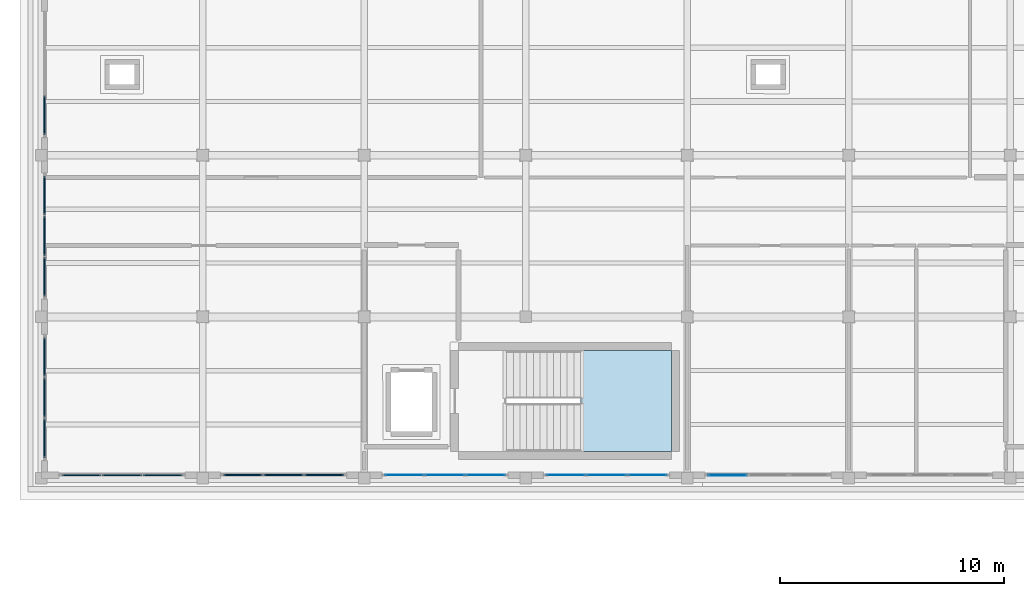
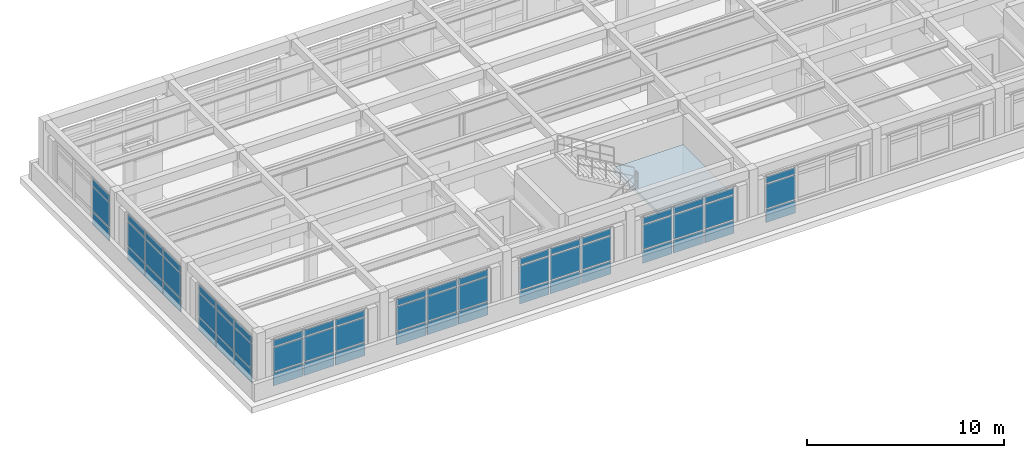
# One storey, part 11 of 20: 60 plates, 1 slab, 9 elements without a shape of their own.
"""IFC4 building model written with IfcOpenShell, lengths in metres."""

from ifc_helpers import new_model, si_unit, direction, frame, origin, origin_2d, place, context, subcontext, project, spatial, polyline, rectangle, outline, extrude, material, layer, layer_set, type_object, element, aggregate, save


model = new_model("IFC4")

# Units and contexts
model_context = context("Model", 3, precision=1e-05, world=origin(), true_north=direction((0.0, 1.0)))
body_context = subcontext(model_context, "Body", "Model", "MODEL_VIEW")
ifc_project = project(units=[si_unit("LENGTHUNIT", "METRE"), si_unit("AREAUNIT", "SQUARE_METRE"), si_unit("VOLUMEUNIT", "CUBIC_METRE"), si_unit("PLANEANGLEUNIT", "RADIAN"), si_unit("MASSUNIT", "GRAM", prefix="KILO")], contexts=[model_context])

# Site, building, storey
site_placement = place(None, origin())
site = spatial("IfcSite", under=ifc_project, at=site_placement, CompositionType="ELEMENT")
building_placement = place(site_placement, origin())
building = spatial("IfcBuilding", under=site, at=building_placement, Name="Solenvale Faculty of Natural Sciences", CompositionType="ELEMENT")
storey_placement = place(building_placement, frame((0.0, 0.0, 35.39990234375)))
storey = spatial("IfcBuildingStorey", under=building, at=storey_placement, Name="L08", CompositionType="ELEMENT", Elevation=35.39990234375)

# Curtain wall, plates
ifc_material_1 = material(Name="Anodised bronze aluminium", Category="aluminium")
ifc_layer_1 = layer(ifc_material_1, 0.179931640625)
ifc_layer_set_1 = layer_set([ifc_layer_1], Name="Anodised bronze aluminium")
curtain_wall_type = type_object("IfcCurtainWallType", Name="CW-TWR-MOD", PredefinedType="USERDEFINED", material=ifc_layer_set_1)
curtain_wall_1_placement = place(storey_placement, origin())
curtain_wall_1 = element("IfcCurtainWall", 1, at=curtain_wall_1_placement, inside=storey, type_object=curtain_wall_type, Name="L08 Curtain Wall CW-L08-P1-E4-B3", ObjectType="UNITISED CURTAIN WALL", PredefinedType="USERDEFINED")
ifc_material_2 = material(Name="North-light skylight glass", Category="glass")
ifc_layer_2 = layer(ifc_material_2, 0.028076171875)
ifc_layer_set_2 = layer_set([ifc_layer_2], Name="North-light skylight glass")
plate_type_1 = type_object("IfcPlateType", Name="CWP-PNL-28", PredefinedType="CURTAIN_PANEL", material=ifc_layer_set_2)
plate_1_placement = place(storey_placement, frame((102.58544921875, 93.742431640625, 0.074951171875), z_axis=(0.0, 0.0, 1.0), x_axis=(1.0, 0.0, 0.0)))
plate_1 = element("IfcPlate", 2, at=plate_1_placement, type_object=plate_type_1, Name="CW-04 panel 1.1", PredefinedType="CURTAIN_PANEL", context=body_context, shape_type="SweptSolid", body=[
    extrude(rectangle(XDim=1.720947265625, YDim=0.028076171875, at=origin_2d()), origin(), (0.0, 0.0, 1.0), 0.78759765625),
])
plate_2_placement = place(storey_placement, frame((102.58544921875, 93.742431640625, 0.9375), z_axis=(0.0, 0.0, 1.0), x_axis=(1.0, 0.0, 0.0)))
plate_2 = element("IfcPlate", 3, at=plate_2_placement, type_object=plate_type_1, Name="CW-04 panel 1.2", PredefinedType="CURTAIN_PANEL", context=body_context, shape_type="SweptSolid", body=[
    extrude(rectangle(XDim=1.720947265625, YDim=0.028076171875, at=origin_2d()), origin(), (0.0, 0.0, 1.0), 1.485107421875),
])
plate_3_placement = place(storey_placement, frame((102.58544921875, 93.742431640625, 2.49755859375), z_axis=(0.0, 0.0, 1.0), x_axis=(1.0, 0.0, 0.0)))
plate_3 = element("IfcPlate", 4, at=plate_3_placement, type_object=plate_type_1, Name="CW-04 panel 1.3", PredefinedType="CURTAIN_PANEL", context=body_context, shape_type="SweptSolid", body=[
    extrude(rectangle(XDim=1.720947265625, YDim=0.028076171875, at=origin_2d()), origin(), (0.0, 0.0, 1.0), 0.387451171875),
])
plate_4_placement = place(storey_placement, frame((104.39990234375, 93.742431640625, 0.074951171875), z_axis=(0.0, 0.0, 1.0), x_axis=(1.0, 0.0, 0.0)))
plate_4 = element("IfcPlate", 5, at=plate_4_placement, type_object=plate_type_1, Name="CW-04 panel 2.1", PredefinedType="CURTAIN_PANEL", context=body_context, shape_type="SweptSolid", body=[
    extrude(rectangle(XDim=1.75830078125, YDim=0.028076171875, at=origin_2d()), origin(), (0.0, 0.0, 1.0), 0.78759765625),
])
plate_5_placement = place(storey_placement, frame((104.39990234375, 93.742431640625, 0.9375), z_axis=(0.0, 0.0, 1.0), x_axis=(1.0, 0.0, 0.0)))
plate_5 = element("IfcPlate", 6, at=plate_5_placement, type_object=plate_type_1, Name="CW-04 panel 2.2", PredefinedType="CURTAIN_PANEL", context=body_context, shape_type="SweptSolid", body=[
    extrude(rectangle(XDim=1.75830078125, YDim=0.028076171875, at=origin_2d()), origin(), (0.0, 0.0, 1.0), 1.485107421875),
])
plate_6_placement = place(storey_placement, frame((104.39990234375, 93.742431640625, 2.49755859375), z_axis=(0.0, 0.0, 1.0), x_axis=(1.0, 0.0, 0.0)))
plate_6 = element("IfcPlate", 7, at=plate_6_placement, type_object=plate_type_1, Name="CW-04 panel 2.3", PredefinedType="CURTAIN_PANEL", context=body_context, shape_type="SweptSolid", body=[
    extrude(rectangle(XDim=1.75830078125, YDim=0.028076171875, at=origin_2d()), origin(), (0.0, 0.0, 1.0), 0.387451171875),
])
plate_7_placement = place(storey_placement, frame((106.214599609375, 93.742431640625, 0.074951171875), z_axis=(0.0, 0.0, 1.0), x_axis=(1.0, 0.0, 0.0)))
plate_7 = element("IfcPlate", 8, at=plate_7_placement, type_object=plate_type_1, Name="CW-04 panel 3.1", PredefinedType="CURTAIN_PANEL", context=body_context, shape_type="SweptSolid", body=[
    extrude(rectangle(XDim=1.720947265625, YDim=0.028076171875, at=origin_2d()), origin(), (0.0, 0.0, 1.0), 0.78759765625),
])
plate_8_placement = place(storey_placement, frame((106.214599609375, 93.742431640625, 0.9375), z_axis=(0.0, 0.0, 1.0), x_axis=(1.0, 0.0, 0.0)))
plate_8 = element("IfcPlate", 9, at=plate_8_placement, type_object=plate_type_1, Name="CW-04 panel 3.2", PredefinedType="CURTAIN_PANEL", context=body_context, shape_type="SweptSolid", body=[
    extrude(rectangle(XDim=1.720947265625, YDim=0.028076171875, at=origin_2d()), origin(), (0.0, 0.0, 1.0), 1.485107421875),
])
plate_9_placement = place(storey_placement, frame((106.214599609375, 93.742431640625, 2.49755859375), z_axis=(0.0, 0.0, 1.0), x_axis=(1.0, 0.0, 0.0)))
plate_9 = element("IfcPlate", 10, at=plate_9_placement, type_object=plate_type_1, Name="CW-04 panel 3.3", PredefinedType="CURTAIN_PANEL", context=body_context, shape_type="SweptSolid", body=[
    extrude(rectangle(XDim=1.720947265625, YDim=0.028076171875, at=origin_2d()), origin(), (0.0, 0.0, 1.0), 0.387451171875),
])
aggregate(curtain_wall_1, [plate_1, plate_2, plate_3, plate_4, plate_5, plate_6, plate_7, plate_8, plate_9])

curtain_wall_2_placement = place(storey_placement, origin())
curtain_wall_2 = element("IfcCurtainWall", 11, at=curtain_wall_2_placement, inside=storey, type_object=curtain_wall_type, Name="L08 Curtain Wall CW-L08-P1-E4-B4", ObjectType="UNITISED CURTAIN WALL", PredefinedType="USERDEFINED")
ifc_material_3 = material(Name="Triple low-E insulated glass", Category="glass")
ifc_layer_3 = layer(ifc_material_3, 0.031982421875)
ifc_layer_set_3 = layer_set([ifc_layer_3], Name="Triple low-E insulated glass")
plate_type_2 = type_object("IfcPlateType", Name="CWP-PNL-32", PredefinedType="CURTAIN_PANEL", material=ifc_layer_set_3)
plate_10_placement = place(storey_placement, frame((109.785400390625, 93.742431640625, 0.074951171875), z_axis=(0.0, 0.0, 1.0), x_axis=(1.0, 0.0, 0.0)))
plate_10 = element("IfcPlate", 12, at=plate_10_placement, type_object=plate_type_2, Name="CW-04 panel 1.1", PredefinedType="CURTAIN_PANEL", context=body_context, shape_type="SweptSolid", body=[
    extrude(rectangle(XDim=1.720947265625, YDim=0.031982421875, at=origin_2d()), origin(), (0.0, 0.0, 1.0), 0.78759765625),
])
plate_11_placement = place(storey_placement, frame((109.785400390625, 93.742431640625, 0.9375), z_axis=(0.0, 0.0, 1.0), x_axis=(1.0, 0.0, 0.0)))
plate_11 = element("IfcPlate", 13, at=plate_11_placement, type_object=plate_type_2, Name="CW-04 panel 1.2", PredefinedType="CURTAIN_PANEL", context=body_context, shape_type="SweptSolid", body=[
    extrude(rectangle(XDim=1.720947265625, YDim=0.031982421875, at=origin_2d()), origin(), (0.0, 0.0, 1.0), 1.485107421875),
])
plate_12_placement = place(storey_placement, frame((109.785400390625, 93.742431640625, 2.49755859375), z_axis=(0.0, 0.0, 1.0), x_axis=(1.0, 0.0, 0.0)))
plate_12 = element("IfcPlate", 14, at=plate_12_placement, type_object=plate_type_2, Name="CW-04 panel 1.3", PredefinedType="CURTAIN_PANEL", context=body_context, shape_type="SweptSolid", body=[
    extrude(rectangle(XDim=1.720947265625, YDim=0.031982421875, at=origin_2d()), origin(), (0.0, 0.0, 1.0), 0.387451171875),
])
plate_13_placement = place(storey_placement, frame((111.60009765625, 93.742431640625, 0.074951171875), z_axis=(0.0, 0.0, 1.0), x_axis=(1.0, 0.0, 0.0)))
plate_13 = element("IfcPlate", 15, at=plate_13_placement, type_object=plate_type_2, Name="CW-04 panel 2.1", PredefinedType="CURTAIN_PANEL", context=body_context, shape_type="SweptSolid", body=[
    extrude(rectangle(XDim=1.75830078125, YDim=0.031982421875, at=origin_2d()), origin(), (0.0, 0.0, 1.0), 0.78759765625),
])
plate_14_placement = place(storey_placement, frame((111.60009765625, 93.742431640625, 0.9375), z_axis=(0.0, 0.0, 1.0), x_axis=(1.0, 0.0, 0.0)))
plate_14 = element("IfcPlate", 16, at=plate_14_placement, type_object=plate_type_2, Name="CW-04 panel 2.2", PredefinedType="CURTAIN_PANEL", context=body_context, shape_type="SweptSolid", body=[
    extrude(rectangle(XDim=1.75830078125, YDim=0.031982421875, at=origin_2d()), origin(), (0.0, 0.0, 1.0), 1.485107421875),
])
plate_15_placement = place(storey_placement, frame((111.60009765625, 93.742431640625, 2.49755859375), z_axis=(0.0, 0.0, 1.0), x_axis=(1.0, 0.0, 0.0)))
plate_15 = element("IfcPlate", 17, at=plate_15_placement, type_object=plate_type_2, Name="CW-04 panel 2.3", PredefinedType="CURTAIN_PANEL", context=body_context, shape_type="SweptSolid", body=[
    extrude(rectangle(XDim=1.75830078125, YDim=0.031982421875, at=origin_2d()), origin(), (0.0, 0.0, 1.0), 0.387451171875),
])
plate_16_placement = place(storey_placement, frame((113.41455078125, 93.742431640625, 0.074951171875), z_axis=(0.0, 0.0, 1.0), x_axis=(1.0, 0.0, 0.0)))
plate_16 = element("IfcPlate", 18, at=plate_16_placement, type_object=plate_type_2, Name="CW-04 panel 3.1", PredefinedType="CURTAIN_PANEL", context=body_context, shape_type="SweptSolid", body=[
    extrude(rectangle(XDim=1.720947265625, YDim=0.031982421875, at=origin_2d()), origin(), (0.0, 0.0, 1.0), 0.78759765625),
])
plate_17_placement = place(storey_placement, frame((113.41455078125, 93.742431640625, 0.9375), z_axis=(0.0, 0.0, 1.0), x_axis=(1.0, 0.0, 0.0)))
plate_17 = element("IfcPlate", 19, at=plate_17_placement, type_object=plate_type_2, Name="CW-04 panel 3.2", PredefinedType="CURTAIN_PANEL", context=body_context, shape_type="SweptSolid", body=[
    extrude(rectangle(XDim=1.720947265625, YDim=0.031982421875, at=origin_2d()), origin(), (0.0, 0.0, 1.0), 1.485107421875),
])
plate_18_placement = place(storey_placement, frame((113.41455078125, 93.742431640625, 2.49755859375), z_axis=(0.0, 0.0, 1.0), x_axis=(1.0, 0.0, 0.0)))
plate_18 = element("IfcPlate", 20, at=plate_18_placement, type_object=plate_type_2, Name="CW-04 panel 3.3", PredefinedType="CURTAIN_PANEL", context=body_context, shape_type="SweptSolid", body=[
    extrude(rectangle(XDim=1.720947265625, YDim=0.031982421875, at=origin_2d()), origin(), (0.0, 0.0, 1.0), 0.387451171875),
])
aggregate(curtain_wall_2, [plate_10, plate_11, plate_12, plate_13, plate_14, plate_15, plate_16, plate_17, plate_18])

curtain_wall_3_placement = place(storey_placement, origin())
curtain_wall_3 = element("IfcCurtainWall", 21, at=curtain_wall_3_placement, inside=storey, type_object=curtain_wall_type, Name="L08 Curtain Wall CW-L08-P1-E4-B5", ObjectType="UNITISED CURTAIN WALL", PredefinedType="USERDEFINED")
ifc_layer_4 = layer(ifc_material_3, 0.035888671875)
ifc_layer_set_4 = layer_set([ifc_layer_4], Name="Triple low-E insulated glass")
plate_type_3 = type_object("IfcPlateType", Name="CWP-PNL-36", PredefinedType="CURTAIN_PANEL", material=ifc_layer_set_4)
plate_19_placement = place(storey_placement, frame((116.9853515625, 93.742431640625, 0.074951171875), z_axis=(0.0, 0.0, 1.0), x_axis=(1.0, 0.0, 0.0)))
plate_19 = element("IfcPlate", 22, at=plate_19_placement, type_object=plate_type_3, Name="CW-04 panel 1.1", PredefinedType="CURTAIN_PANEL", context=body_context, shape_type="SweptSolid", body=[
    extrude(rectangle(XDim=1.720947265625, YDim=0.035888671875, at=origin_2d()), origin(), (0.0, 0.0, 1.0), 0.78759765625),
])
plate_20_placement = place(storey_placement, frame((116.9853515625, 93.742431640625, 0.9375), z_axis=(0.0, 0.0, 1.0), x_axis=(1.0, 0.0, 0.0)))
plate_20 = element("IfcPlate", 23, at=plate_20_placement, type_object=plate_type_3, Name="CW-04 panel 1.2", PredefinedType="CURTAIN_PANEL", context=body_context, shape_type="SweptSolid", body=[
    extrude(rectangle(XDim=1.720947265625, YDim=0.035888671875, at=origin_2d()), origin(), (0.0, 0.0, 1.0), 1.485107421875),
])
plate_21_placement = place(storey_placement, frame((116.9853515625, 93.742431640625, 2.49755859375), z_axis=(0.0, 0.0, 1.0), x_axis=(1.0, 0.0, 0.0)))
plate_21 = element("IfcPlate", 24, at=plate_21_placement, type_object=plate_type_3, Name="CW-04 panel 1.3", PredefinedType="CURTAIN_PANEL", context=body_context, shape_type="SweptSolid", body=[
    extrude(rectangle(XDim=1.720947265625, YDim=0.035888671875, at=origin_2d()), origin(), (0.0, 0.0, 1.0), 0.387451171875),
])
aggregate(curtain_wall_3, [plate_19, plate_20, plate_21])

curtain_wall_4_placement = place(storey_placement, origin())
curtain_wall_4 = element("IfcCurtainWall", 25, at=curtain_wall_4_placement, inside=storey, type_object=curtain_wall_type, Name="L08 Curtain Wall CW-L08-P1-E3-B1", ObjectType="UNITISED CURTAIN WALL", PredefinedType="USERDEFINED")
ifc_layer_5 = layer(ifc_material_1, 0.048095703125)
ifc_layer_set_5 = layer_set([ifc_layer_5], Name="Anodised bronze aluminium")
plate_type_4 = type_object("IfcPlateType", Name="CWP-PNL-48", PredefinedType="CURTAIN_PANEL", material=ifc_layer_set_5)
plate_22_placement = place(storey_placement, frame((86.54248046875, 109.785400390625, 0.074951171875), z_axis=(0.0, 0.0, 1.0), x_axis=(0.0, -1.0, 0.0)))
plate_22 = element("IfcPlate", 26, at=plate_22_placement, type_object=plate_type_4, Name="CW-04 panel 3.1", PredefinedType="CURTAIN_PANEL", context=body_context, shape_type="SweptSolid", body=[
    extrude(rectangle(XDim=1.720947265625, YDim=0.048095703125, at=origin_2d()), origin(), (0.0, 0.0, 1.0), 0.78759765625),
])
plate_23_placement = place(storey_placement, frame((86.54248046875, 109.785400390625, 0.9375), z_axis=(0.0, 0.0, 1.0), x_axis=(0.0, -1.0, 0.0)))
plate_23 = element("IfcPlate", 27, at=plate_23_placement, type_object=plate_type_4, Name="CW-04 panel 3.2", PredefinedType="CURTAIN_PANEL", context=body_context, shape_type="SweptSolid", body=[
    extrude(rectangle(XDim=1.720947265625, YDim=0.048095703125, at=origin_2d()), origin(), (0.0, 0.0, 1.0), 1.485107421875),
])
plate_24_placement = place(storey_placement, frame((86.54248046875, 109.785400390625, 2.49755859375), z_axis=(0.0, 0.0, 1.0), x_axis=(0.0, -1.0, 0.0)))
plate_24 = element("IfcPlate", 28, at=plate_24_placement, type_object=plate_type_4, Name="CW-04 panel 3.3", PredefinedType="CURTAIN_PANEL", context=body_context, shape_type="SweptSolid", body=[
    extrude(rectangle(XDim=1.720947265625, YDim=0.048095703125, at=origin_2d()), origin(), (0.0, 0.0, 1.0), 0.387451171875),
])
aggregate(curtain_wall_4, [plate_22, plate_23, plate_24])

curtain_wall_5_placement = place(storey_placement, origin())
curtain_wall_5 = element("IfcCurtainWall", 29, at=curtain_wall_5_placement, inside=storey, type_object=curtain_wall_type, Name="L08 Curtain Wall CW-L08-P1-E3-B2", ObjectType="UNITISED CURTAIN WALL", PredefinedType="USERDEFINED")
ifc_layer_6 = layer(ifc_material_1, 0.053955078125)
ifc_layer_set_6 = layer_set([ifc_layer_6], Name="Anodised bronze aluminium")
plate_type_5 = type_object("IfcPlateType", Name="CWP-PNL-54", PredefinedType="CURTAIN_PANEL", material=ifc_layer_set_6)
plate_25_placement = place(storey_placement, frame((86.54248046875, 106.214599609375, 0.074951171875), z_axis=(0.0, 0.0, 1.0), x_axis=(0.0, -1.0, 0.0)))
plate_25 = element("IfcPlate", 30, at=plate_25_placement, type_object=plate_type_5, Name="CW-04 panel 1.1", PredefinedType="CURTAIN_PANEL", context=body_context, shape_type="SweptSolid", body=[
    extrude(rectangle(XDim=1.720947265625, YDim=0.053955078125, at=origin_2d()), origin(), (0.0, 0.0, 1.0), 0.78759765625),
])
plate_26_placement = place(storey_placement, frame((86.54248046875, 106.214599609375, 0.9375), z_axis=(0.0, 0.0, 1.0), x_axis=(0.0, -1.0, 0.0)))
plate_26 = element("IfcPlate", 31, at=plate_26_placement, type_object=plate_type_5, Name="CW-04 panel 1.2", PredefinedType="CURTAIN_PANEL", context=body_context, shape_type="SweptSolid", body=[
    extrude(rectangle(XDim=1.720947265625, YDim=0.053955078125, at=origin_2d()), origin(), (0.0, 0.0, 1.0), 1.485107421875),
])
plate_27_placement = place(storey_placement, frame((86.54248046875, 106.214599609375, 2.49755859375), z_axis=(0.0, 0.0, 1.0), x_axis=(0.0, -1.0, 0.0)))
plate_27 = element("IfcPlate", 32, at=plate_27_placement, type_object=plate_type_5, Name="CW-04 panel 1.3", PredefinedType="CURTAIN_PANEL", context=body_context, shape_type="SweptSolid", body=[
    extrude(rectangle(XDim=1.720947265625, YDim=0.053955078125, at=origin_2d()), origin(), (0.0, 0.0, 1.0), 0.387451171875),
])
plate_28_placement = place(storey_placement, frame((86.54248046875, 104.39990234375, 0.074951171875), z_axis=(0.0, 0.0, 1.0), x_axis=(0.0, -1.0, 0.0)))
plate_28 = element("IfcPlate", 33, at=plate_28_placement, type_object=plate_type_5, Name="CW-04 panel 2.1", PredefinedType="CURTAIN_PANEL", context=body_context, shape_type="SweptSolid", body=[
    extrude(rectangle(XDim=1.75830078125, YDim=0.053955078125, at=origin_2d()), origin(), (0.0, 0.0, 1.0), 0.78759765625),
])
plate_29_placement = place(storey_placement, frame((86.54248046875, 104.39990234375, 0.9375), z_axis=(0.0, 0.0, 1.0), x_axis=(0.0, -1.0, 0.0)))
plate_29 = element("IfcPlate", 34, at=plate_29_placement, type_object=plate_type_5, Name="CW-04 panel 2.2", PredefinedType="CURTAIN_PANEL", context=body_context, shape_type="SweptSolid", body=[
    extrude(rectangle(XDim=1.75830078125, YDim=0.053955078125, at=origin_2d()), origin(), (0.0, 0.0, 1.0), 1.485107421875),
])
plate_30_placement = place(storey_placement, frame((86.54248046875, 104.39990234375, 2.49755859375), z_axis=(0.0, 0.0, 1.0), x_axis=(0.0, -1.0, 0.0)))
plate_30 = element("IfcPlate", 35, at=plate_30_placement, type_object=plate_type_5, Name="CW-04 panel 2.3", PredefinedType="CURTAIN_PANEL", context=body_context, shape_type="SweptSolid", body=[
    extrude(rectangle(XDim=1.75830078125, YDim=0.053955078125, at=origin_2d()), origin(), (0.0, 0.0, 1.0), 0.387451171875),
])
plate_31_placement = place(storey_placement, frame((86.54248046875, 102.58544921875, 0.074951171875), z_axis=(0.0, 0.0, 1.0), x_axis=(0.0, -1.0, 0.0)))
plate_31 = element("IfcPlate", 36, at=plate_31_placement, type_object=plate_type_5, Name="CW-04 panel 3.1", PredefinedType="CURTAIN_PANEL", context=body_context, shape_type="SweptSolid", body=[
    extrude(rectangle(XDim=1.720947265625, YDim=0.053955078125, at=origin_2d()), origin(), (0.0, 0.0, 1.0), 0.78759765625),
])
plate_32_placement = place(storey_placement, frame((86.54248046875, 102.58544921875, 0.9375), z_axis=(0.0, 0.0, 1.0), x_axis=(0.0, -1.0, 0.0)))
plate_32 = element("IfcPlate", 37, at=plate_32_placement, type_object=plate_type_5, Name="CW-04 panel 3.2", PredefinedType="CURTAIN_PANEL", context=body_context, shape_type="SweptSolid", body=[
    extrude(rectangle(XDim=1.720947265625, YDim=0.053955078125, at=origin_2d()), origin(), (0.0, 0.0, 1.0), 1.485107421875),
])
plate_33_placement = place(storey_placement, frame((86.54248046875, 102.58544921875, 2.49755859375), z_axis=(0.0, 0.0, 1.0), x_axis=(0.0, -1.0, 0.0)))
plate_33 = element("IfcPlate", 38, at=plate_33_placement, type_object=plate_type_5, Name="CW-04 panel 3.3", PredefinedType="CURTAIN_PANEL", context=body_context, shape_type="SweptSolid", body=[
    extrude(rectangle(XDim=1.720947265625, YDim=0.053955078125, at=origin_2d()), origin(), (0.0, 0.0, 1.0), 0.387451171875),
])
aggregate(curtain_wall_5, [plate_25, plate_26, plate_27, plate_28, plate_29, plate_30, plate_31, plate_32, plate_33])

curtain_wall_6_placement = place(storey_placement, origin())
curtain_wall_6 = element("IfcCurtainWall", 39, at=curtain_wall_6_placement, inside=storey, type_object=curtain_wall_type, Name="L08 Curtain Wall CW-L08-P1-E4-B1", ObjectType="UNITISED CURTAIN WALL", PredefinedType="USERDEFINED")
plate_34_placement = place(storey_placement, frame((88.185302734375, 93.742431640625, 0.074951171875), z_axis=(0.0, 0.0, 1.0), x_axis=(1.0, 0.0, 0.0)))
plate_34 = element("IfcPlate", 40, at=plate_34_placement, type_object=plate_type_5, Name="CW-04 panel 1.1", PredefinedType="CURTAIN_PANEL", context=body_context, shape_type="SweptSolid", body=[
    extrude(rectangle(XDim=1.720947265625, YDim=0.053955078125, at=origin_2d()), origin(), (0.0, 0.0, 1.0), 0.78759765625),
])
plate_35_placement = place(storey_placement, frame((88.185302734375, 93.742431640625, 0.9375), z_axis=(0.0, 0.0, 1.0), x_axis=(1.0, 0.0, 0.0)))
plate_35 = element("IfcPlate", 41, at=plate_35_placement, type_object=plate_type_5, Name="CW-04 panel 1.2", PredefinedType="CURTAIN_PANEL", context=body_context, shape_type="SweptSolid", body=[
    extrude(rectangle(XDim=1.720947265625, YDim=0.053955078125, at=origin_2d()), origin(), (0.0, 0.0, 1.0), 1.485107421875),
])
plate_36_placement = place(storey_placement, frame((88.185302734375, 93.742431640625, 2.49755859375), z_axis=(0.0, 0.0, 1.0), x_axis=(1.0, 0.0, 0.0)))
plate_36 = element("IfcPlate", 42, at=plate_36_placement, type_object=plate_type_5, Name="CW-04 panel 1.3", PredefinedType="CURTAIN_PANEL", context=body_context, shape_type="SweptSolid", body=[
    extrude(rectangle(XDim=1.720947265625, YDim=0.053955078125, at=origin_2d()), origin(), (0.0, 0.0, 1.0), 0.387451171875),
])
plate_37_placement = place(storey_placement, frame((90.0, 93.742431640625, 0.074951171875), z_axis=(0.0, 0.0, 1.0), x_axis=(1.0, 0.0, 0.0)))
plate_37 = element("IfcPlate", 43, at=plate_37_placement, type_object=plate_type_5, Name="CW-04 panel 2.1", PredefinedType="CURTAIN_PANEL", context=body_context, shape_type="SweptSolid", body=[
    extrude(rectangle(XDim=1.75830078125, YDim=0.053955078125, at=origin_2d()), origin(), (0.0, 0.0, 1.0), 0.78759765625),
])
plate_38_placement = place(storey_placement, frame((90.0, 93.742431640625, 0.9375), z_axis=(0.0, 0.0, 1.0), x_axis=(1.0, 0.0, 0.0)))
plate_38 = element("IfcPlate", 44, at=plate_38_placement, type_object=plate_type_5, Name="CW-04 panel 2.2", PredefinedType="CURTAIN_PANEL", context=body_context, shape_type="SweptSolid", body=[
    extrude(rectangle(XDim=1.75830078125, YDim=0.053955078125, at=origin_2d()), origin(), (0.0, 0.0, 1.0), 1.485107421875),
])
plate_39_placement = place(storey_placement, frame((90.0, 93.742431640625, 2.49755859375), z_axis=(0.0, 0.0, 1.0), x_axis=(1.0, 0.0, 0.0)))
plate_39 = element("IfcPlate", 45, at=plate_39_placement, type_object=plate_type_5, Name="CW-04 panel 2.3", PredefinedType="CURTAIN_PANEL", context=body_context, shape_type="SweptSolid", body=[
    extrude(rectangle(XDim=1.75830078125, YDim=0.053955078125, at=origin_2d()), origin(), (0.0, 0.0, 1.0), 0.387451171875),
])
plate_40_placement = place(storey_placement, frame((91.814697265625, 93.742431640625, 0.074951171875), z_axis=(0.0, 0.0, 1.0), x_axis=(1.0, 0.0, 0.0)))
plate_40 = element("IfcPlate", 46, at=plate_40_placement, type_object=plate_type_5, Name="CW-04 panel 3.1", PredefinedType="CURTAIN_PANEL", context=body_context, shape_type="SweptSolid", body=[
    extrude(rectangle(XDim=1.720947265625, YDim=0.053955078125, at=origin_2d()), origin(), (0.0, 0.0, 1.0), 0.78759765625),
])
plate_41_placement = place(storey_placement, frame((91.814697265625, 93.742431640625, 0.9375), z_axis=(0.0, 0.0, 1.0), x_axis=(1.0, 0.0, 0.0)))
plate_41 = element("IfcPlate", 47, at=plate_41_placement, type_object=plate_type_5, Name="CW-04 panel 3.2", PredefinedType="CURTAIN_PANEL", context=body_context, shape_type="SweptSolid", body=[
    extrude(rectangle(XDim=1.720947265625, YDim=0.053955078125, at=origin_2d()), origin(), (0.0, 0.0, 1.0), 1.485107421875),
])
plate_42_placement = place(storey_placement, frame((91.814697265625, 93.742431640625, 2.49755859375), z_axis=(0.0, 0.0, 1.0), x_axis=(1.0, 0.0, 0.0)))
plate_42 = element("IfcPlate", 48, at=plate_42_placement, type_object=plate_type_5, Name="CW-04 panel 3.3", PredefinedType="CURTAIN_PANEL", context=body_context, shape_type="SweptSolid", body=[
    extrude(rectangle(XDim=1.720947265625, YDim=0.053955078125, at=origin_2d()), origin(), (0.0, 0.0, 1.0), 0.387451171875),
])
aggregate(curtain_wall_6, [plate_34, plate_35, plate_36, plate_37, plate_38, plate_39, plate_40, plate_41, plate_42])

curtain_wall_7_placement = place(storey_placement, origin())
curtain_wall_7 = element("IfcCurtainWall", 49, at=curtain_wall_7_placement, inside=storey, type_object=curtain_wall_type, Name="L08 Curtain Wall CW-L08-P1-E3-B3", ObjectType="UNITISED CURTAIN WALL", PredefinedType="USERDEFINED")
ifc_layer_7 = layer(ifc_material_1, 0.06005859375)
ifc_layer_set_7 = layer_set([ifc_layer_7], Name="Anodised bronze aluminium")
plate_type_6 = type_object("IfcPlateType", Name="CWP-PNL-60", PredefinedType="CURTAIN_PANEL", material=ifc_layer_set_7)
plate_43_placement = place(storey_placement, frame((86.54248046875, 99.0146484375, 0.074951171875), z_axis=(0.0, 0.0, 1.0), x_axis=(0.0, -1.0, 0.0)))
plate_43 = element("IfcPlate", 50, at=plate_43_placement, type_object=plate_type_6, Name="CW-04 panel 1.1", PredefinedType="CURTAIN_PANEL", context=body_context, shape_type="SweptSolid", body=[
    extrude(rectangle(XDim=1.720947265625, YDim=0.06005859375, at=origin_2d()), origin(), (0.0, 0.0, 1.0), 0.78759765625),
])
plate_44_placement = place(storey_placement, frame((86.54248046875, 99.0146484375, 0.9375), z_axis=(0.0, 0.0, 1.0), x_axis=(0.0, -1.0, 0.0)))
plate_44 = element("IfcPlate", 51, at=plate_44_placement, type_object=plate_type_6, Name="CW-04 panel 1.2", PredefinedType="CURTAIN_PANEL", context=body_context, shape_type="SweptSolid", body=[
    extrude(rectangle(XDim=1.720947265625, YDim=0.06005859375, at=origin_2d()), origin(), (0.0, 0.0, 1.0), 1.485107421875),
])
plate_45_placement = place(storey_placement, frame((86.54248046875, 99.0146484375, 2.49755859375), z_axis=(0.0, 0.0, 1.0), x_axis=(0.0, -1.0, 0.0)))
plate_45 = element("IfcPlate", 52, at=plate_45_placement, type_object=plate_type_6, Name="CW-04 panel 1.3", PredefinedType="CURTAIN_PANEL", context=body_context, shape_type="SweptSolid", body=[
    extrude(rectangle(XDim=1.720947265625, YDim=0.06005859375, at=origin_2d()), origin(), (0.0, 0.0, 1.0), 0.387451171875),
])
plate_46_placement = place(storey_placement, frame((86.54248046875, 97.199951171875, 0.074951171875), z_axis=(0.0, 0.0, 1.0), x_axis=(0.0, -1.0, 0.0)))
plate_46 = element("IfcPlate", 53, at=plate_46_placement, type_object=plate_type_6, Name="CW-04 panel 2.1", PredefinedType="CURTAIN_PANEL", context=body_context, shape_type="SweptSolid", body=[
    extrude(rectangle(XDim=1.75830078125, YDim=0.06005859375, at=origin_2d()), origin(), (0.0, 0.0, 1.0), 0.78759765625),
])
plate_47_placement = place(storey_placement, frame((86.54248046875, 97.199951171875, 0.9375), z_axis=(0.0, 0.0, 1.0), x_axis=(0.0, -1.0, 0.0)))
plate_47 = element("IfcPlate", 54, at=plate_47_placement, type_object=plate_type_6, Name="CW-04 panel 2.2", PredefinedType="CURTAIN_PANEL", context=body_context, shape_type="SweptSolid", body=[
    extrude(rectangle(XDim=1.75830078125, YDim=0.06005859375, at=origin_2d()), origin(), (0.0, 0.0, 1.0), 1.485107421875),
])
plate_48_placement = place(storey_placement, frame((86.54248046875, 97.199951171875, 2.49755859375), z_axis=(0.0, 0.0, 1.0), x_axis=(0.0, -1.0, 0.0)))
plate_48 = element("IfcPlate", 55, at=plate_48_placement, type_object=plate_type_6, Name="CW-04 panel 2.3", PredefinedType="CURTAIN_PANEL", context=body_context, shape_type="SweptSolid", body=[
    extrude(rectangle(XDim=1.75830078125, YDim=0.06005859375, at=origin_2d()), origin(), (0.0, 0.0, 1.0), 0.387451171875),
])
plate_49_placement = place(storey_placement, frame((86.54248046875, 95.385498046875, 0.074951171875), z_axis=(0.0, 0.0, 1.0), x_axis=(0.0, -1.0, 0.0)))
plate_49 = element("IfcPlate", 56, at=plate_49_placement, type_object=plate_type_6, Name="CW-04 panel 3.1", PredefinedType="CURTAIN_PANEL", context=body_context, shape_type="SweptSolid", body=[
    extrude(rectangle(XDim=1.720947265625, YDim=0.06005859375, at=origin_2d()), origin(), (0.0, 0.0, 1.0), 0.78759765625),
])
plate_50_placement = place(storey_placement, frame((86.54248046875, 95.385498046875, 0.9375), z_axis=(0.0, 0.0, 1.0), x_axis=(0.0, -1.0, 0.0)))
plate_50 = element("IfcPlate", 57, at=plate_50_placement, type_object=plate_type_6, Name="CW-04 panel 3.2", PredefinedType="CURTAIN_PANEL", context=body_context, shape_type="SweptSolid", body=[
    extrude(rectangle(XDim=1.720947265625, YDim=0.06005859375, at=origin_2d()), origin(), (0.0, 0.0, 1.0), 1.485107421875),
])
plate_51_placement = place(storey_placement, frame((86.54248046875, 95.385498046875, 2.49755859375), z_axis=(0.0, 0.0, 1.0), x_axis=(0.0, -1.0, 0.0)))
plate_51 = element("IfcPlate", 58, at=plate_51_placement, type_object=plate_type_6, Name="CW-04 panel 3.3", PredefinedType="CURTAIN_PANEL", context=body_context, shape_type="SweptSolid", body=[
    extrude(rectangle(XDim=1.720947265625, YDim=0.06005859375, at=origin_2d()), origin(), (0.0, 0.0, 1.0), 0.387451171875),
])
aggregate(curtain_wall_7, [plate_43, plate_44, plate_45, plate_46, plate_47, plate_48, plate_49, plate_50, plate_51])

curtain_wall_8_placement = place(storey_placement, origin())
curtain_wall_8 = element("IfcCurtainWall", 59, at=curtain_wall_8_placement, inside=storey, type_object=curtain_wall_type, Name="L08 Curtain Wall CW-L08-P1-E4-B2", ObjectType="UNITISED CURTAIN WALL", PredefinedType="USERDEFINED")
plate_52_placement = place(storey_placement, frame((95.385498046875, 93.742431640625, 0.074951171875), z_axis=(0.0, 0.0, 1.0), x_axis=(1.0, 0.0, 0.0)))
plate_52 = element("IfcPlate", 60, at=plate_52_placement, type_object=plate_type_6, Name="CW-04 panel 1.1", PredefinedType="CURTAIN_PANEL", context=body_context, shape_type="SweptSolid", body=[
    extrude(rectangle(XDim=1.720947265625, YDim=0.06005859375, at=origin_2d()), origin(), (0.0, 0.0, 1.0), 0.78759765625),
])
plate_53_placement = place(storey_placement, frame((95.385498046875, 93.742431640625, 0.9375), z_axis=(0.0, 0.0, 1.0), x_axis=(1.0, 0.0, 0.0)))
plate_53 = element("IfcPlate", 61, at=plate_53_placement, type_object=plate_type_6, Name="CW-04 panel 1.2", PredefinedType="CURTAIN_PANEL", context=body_context, shape_type="SweptSolid", body=[
    extrude(rectangle(XDim=1.720947265625, YDim=0.06005859375, at=origin_2d()), origin(), (0.0, 0.0, 1.0), 1.485107421875),
])
plate_54_placement = place(storey_placement, frame((95.385498046875, 93.742431640625, 2.49755859375), z_axis=(0.0, 0.0, 1.0), x_axis=(1.0, 0.0, 0.0)))
plate_54 = element("IfcPlate", 62, at=plate_54_placement, type_object=plate_type_6, Name="CW-04 panel 1.3", PredefinedType="CURTAIN_PANEL", context=body_context, shape_type="SweptSolid", body=[
    extrude(rectangle(XDim=1.720947265625, YDim=0.06005859375, at=origin_2d()), origin(), (0.0, 0.0, 1.0), 0.387451171875),
])
plate_55_placement = place(storey_placement, frame((97.199951171875, 93.742431640625, 0.074951171875), z_axis=(0.0, 0.0, 1.0), x_axis=(1.0, 0.0, 0.0)))
plate_55 = element("IfcPlate", 63, at=plate_55_placement, type_object=plate_type_6, Name="CW-04 panel 2.1", PredefinedType="CURTAIN_PANEL", context=body_context, shape_type="SweptSolid", body=[
    extrude(rectangle(XDim=1.75830078125, YDim=0.06005859375, at=origin_2d()), origin(), (0.0, 0.0, 1.0), 0.78759765625),
])
plate_56_placement = place(storey_placement, frame((97.199951171875, 93.742431640625, 0.9375), z_axis=(0.0, 0.0, 1.0), x_axis=(1.0, 0.0, 0.0)))
plate_56 = element("IfcPlate", 64, at=plate_56_placement, type_object=plate_type_6, Name="CW-04 panel 2.2", PredefinedType="CURTAIN_PANEL", context=body_context, shape_type="SweptSolid", body=[
    extrude(rectangle(XDim=1.75830078125, YDim=0.06005859375, at=origin_2d()), origin(), (0.0, 0.0, 1.0), 1.485107421875),
])
plate_57_placement = place(storey_placement, frame((97.199951171875, 93.742431640625, 2.49755859375), z_axis=(0.0, 0.0, 1.0), x_axis=(1.0, 0.0, 0.0)))
plate_57 = element("IfcPlate", 65, at=plate_57_placement, type_object=plate_type_6, Name="CW-04 panel 2.3", PredefinedType="CURTAIN_PANEL", context=body_context, shape_type="SweptSolid", body=[
    extrude(rectangle(XDim=1.75830078125, YDim=0.06005859375, at=origin_2d()), origin(), (0.0, 0.0, 1.0), 0.387451171875),
])
plate_58_placement = place(storey_placement, frame((99.0146484375, 93.742431640625, 0.074951171875), z_axis=(0.0, 0.0, 1.0), x_axis=(1.0, 0.0, 0.0)))
plate_58 = element("IfcPlate", 66, at=plate_58_placement, type_object=plate_type_6, Name="CW-04 panel 3.1", PredefinedType="CURTAIN_PANEL", context=body_context, shape_type="SweptSolid", body=[
    extrude(rectangle(XDim=1.720947265625, YDim=0.06005859375, at=origin_2d()), origin(), (0.0, 0.0, 1.0), 0.78759765625),
])
plate_59_placement = place(storey_placement, frame((99.0146484375, 93.742431640625, 0.9375), z_axis=(0.0, 0.0, 1.0), x_axis=(1.0, 0.0, 0.0)))
plate_59 = element("IfcPlate", 67, at=plate_59_placement, type_object=plate_type_6, Name="CW-04 panel 3.2", PredefinedType="CURTAIN_PANEL", context=body_context, shape_type="SweptSolid", body=[
    extrude(rectangle(XDim=1.720947265625, YDim=0.06005859375, at=origin_2d()), origin(), (0.0, 0.0, 1.0), 1.485107421875),
])
plate_60_placement = place(storey_placement, frame((99.0146484375, 93.742431640625, 2.49755859375), z_axis=(0.0, 0.0, 1.0), x_axis=(1.0, 0.0, 0.0)))
plate_60 = element("IfcPlate", 68, at=plate_60_placement, type_object=plate_type_6, Name="CW-04 panel 3.3", PredefinedType="CURTAIN_PANEL", context=body_context, shape_type="SweptSolid", body=[
    extrude(rectangle(XDim=1.720947265625, YDim=0.06005859375, at=origin_2d()), origin(), (0.0, 0.0, 1.0), 0.387451171875),
])
aggregate(curtain_wall_8, [plate_52, plate_53, plate_54, plate_55, plate_56, plate_57, plate_58, plate_59, plate_60])

# Stair, slab
ifc_material_4 = material(Name="Concrete 40 MPa", Category="concrete")
stair_type = type_object("IfcStairType", Name="STR-CORE-25R", PredefinedType="DOUBLE_RETURN_STAIR", material=ifc_material_4)
stair_placement = place(storey_placement, origin())
stair = element("IfcStair", 69, at=stair_placement, inside=storey, type_object=stair_type, Name="L08 Protected Exit Stair ST-04", PredefinedType="DOUBLE_RETURN_STAIR")
ifc_layer_8 = layer(ifc_material_4, 0.195068359375)
ifc_layer_set_8 = layer_set([ifc_layer_8], Name="Concrete 40 MPa")
slab_type = type_object("IfcSlabType", Name="SL-LND-195", PredefinedType="LANDING", material=ifc_layer_set_8)
slab_placement = place(storey_placement, frame((0.0, 0.0, 1.900146484375)))
slab = element("IfcSlab", 70, at=slab_placement, type_object=slab_type, Name="ST-04 landing 1", PredefinedType="LANDING", context=body_context, shape_type="SweptSolid", body=[
    extrude(outline(polyline([(110.43994140625, 94.800048828125), (114.5, 94.800048828125), (114.5, 99.300048828125), (110.43994140625, 99.300048828125), (110.43994140625, 94.800048828125)])), origin(), (0.0, 0.0, 1.0), 0.199951171875),
])
aggregate(stair, [slab])

save(model, "model.ifc")
